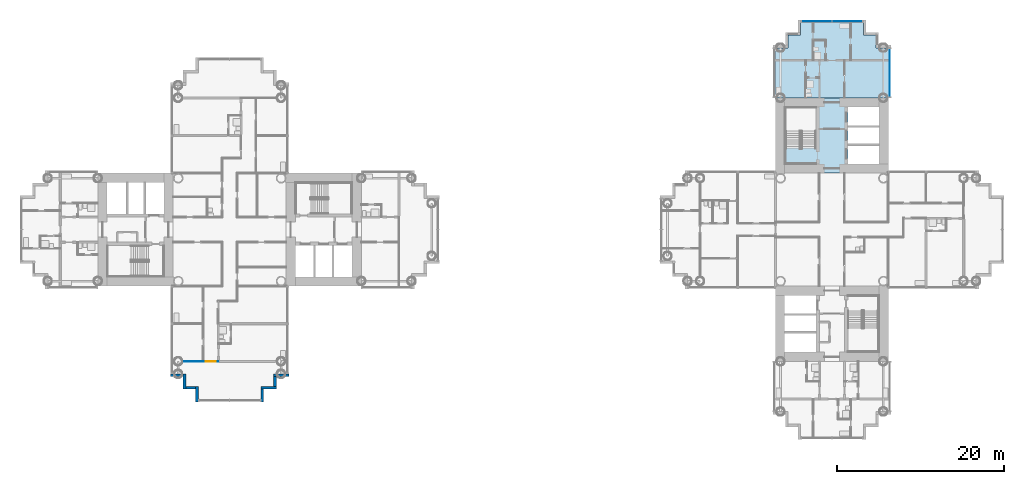
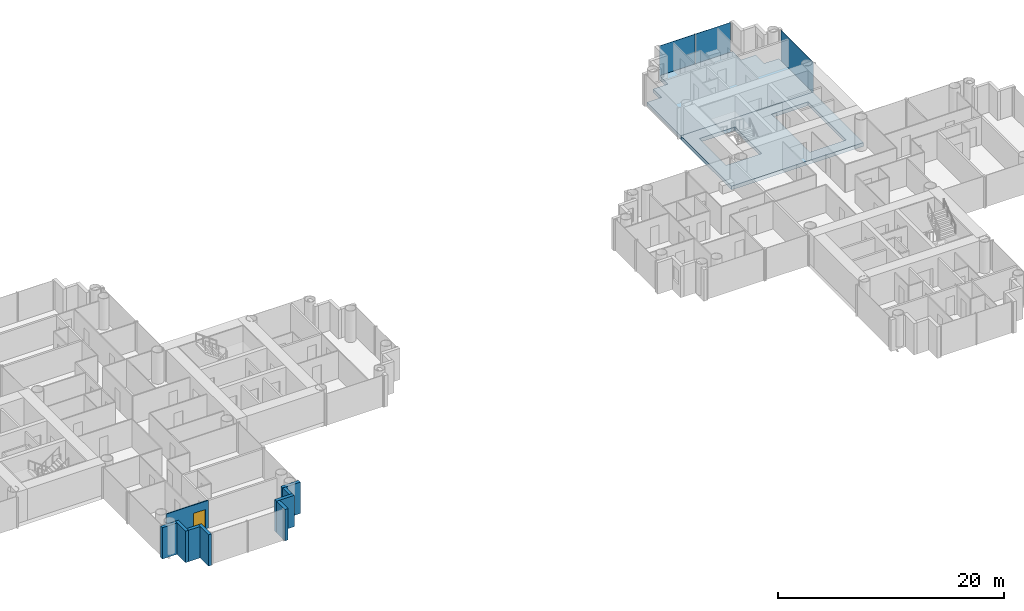
# One storey, part 8 of 22: 9 walls, 3 plates, 2 slabs, 1 door, 1 opening, 2 elements without a shape of their own.
"""IFC4 building model written with IfcOpenShell, lengths in metres."""

from ifc_helpers import new_model, si_unit, direction, frame, frame_2d, origin, origin_2d, place, context, subcontext, project, spatial, polyline, rectangle, outline, extrude, material, layer, layer_set, type_object, element, fill, aggregate, save


model = new_model("IFC4")

# Units and contexts
model_context = context("Model", 3, precision=1e-05, world=origin(), true_north=direction((0.0, 1.0)))
body_context = subcontext(model_context, "Body", "Model", "MODEL_VIEW")
ifc_project = project(units=[si_unit("LENGTHUNIT", "METRE"), si_unit("AREAUNIT", "SQUARE_METRE"), si_unit("VOLUMEUNIT", "CUBIC_METRE"), si_unit("PLANEANGLEUNIT", "RADIAN"), si_unit("MASSUNIT", "GRAM", prefix="KILO")], contexts=[model_context])

# Site, building, storey
site_placement = place(None, origin())
site = spatial("IfcSite", under=ifc_project, at=site_placement, CompositionType="ELEMENT")
building_placement = place(site_placement, origin())
building = spatial("IfcBuilding", under=site, at=building_placement, Name="Ipe Terrace Towers", CompositionType="ELEMENT")
storey_placement = place(building_placement, frame((0.0, 0.0, 55.10009765625)))
storey = spatial("IfcBuildingStorey", under=building, at=storey_placement, Name="L14", CompositionType="ELEMENT", Elevation=55.10009765625)

# Slabs
ifc_material_1 = material(Name="Concrete C30/37", Category="concrete")
ifc_layer_1 = layer(ifc_material_1, 0.39990234375)
ifc_layer_set_1 = layer_set([ifc_layer_1], Name="CORE FLOOR SLAB 400 C30-37")
slab_type_1 = type_object("IfcSlabType", Name="CORE FLOOR SLAB 400 C30-37", PredefinedType="FLOOR", material=ifc_layer_set_1)
slab_1_placement = place(storey_placement, frame((0.0, 0.0, -0.400146484375)))
element("IfcSlab", 1, at=slab_1_placement, inside=storey, type_object=slab_type_1, Name="Core floor T2-C1", PredefinedType="FLOOR", context=body_context, shape_type="SweptSolid", body=[
    extrude(outline(polyline([(29.25, 6.75), (29.25, 15.75), (42.75, 15.75), (42.75, 6.75), (29.25, 6.75)]), holes=[polyline([(41.64990234375, 7.85009765625), (41.64990234375, 14.64990234375), (37.89990234375, 14.64990234375), (37.89990234375, 7.85009765625), (41.64990234375, 7.85009765625)]), polyline([(30.449951171875, 9.800048828125), (34.10009765625, 9.800048828125), (34.10009765625, 14.550048828125), (30.449951171875, 14.550048828125), (30.449951171875, 9.800048828125)])]), origin(), (0.0, 0.0, 1.0), 0.400146484375),
])
ifc_material_2 = material(Name="Concrete C40/50", Category="concrete")
ifc_layer_2 = layer(ifc_material_2, 0.39990234375)
ifc_layer_set_2 = layer_set([ifc_layer_2], Name="FLAT PLATE SLAB 400 C40-50")
slab_type_2 = type_object("IfcSlabType", Name="FLAT PLATE SLAB 400 C40-50", PredefinedType="FLOOR", material=ifc_layer_set_2)
slab_2_placement = place(storey_placement, frame((0.0, 0.0, -0.400146484375)))
element("IfcSlab", 2, at=slab_2_placement, inside=storey, type_object=slab_type_2, Name="Slab T2-FS-Z13", PredefinedType="FLOOR", context=body_context, shape_type="SweptSolid", body=[
    extrude(outline(polyline([(30.75, 21.75), (30.75, 23.25), (32.25, 23.25), (32.25, 24.75), (39.75, 24.75), (39.75, 23.25), (41.25, 23.25), (41.25, 21.75), (42.75, 21.75), (42.75, 15.75), (29.25, 15.75), (29.25, 21.75), (30.75, 21.75)])), origin(), (0.0, 0.0, 1.0), 0.400146484375),
])

# Curtain wall, plate
ifc_material_3 = material(Name="Aluminium alloy 6063-T6", Category="aluminium")
ifc_layer_3 = layer(ifc_material_3, 0.320068359375)
ifc_layer_set_3 = layer_set([ifc_layer_3], Name="TOWER UNITISED CURTAIN WALL")
curtain_wall_type = type_object("IfcCurtainWallType", Name="TOWER UNITISED CURTAIN WALL", PredefinedType="NOTDEFINED", material=ifc_layer_set_3)
curtain_wall_1_placement = place(storey_placement, origin())
curtain_wall_1 = element("IfcCurtainWall", 3, at=curtain_wall_1_placement, inside=storey, type_object=curtain_wall_type, Name="T2-CW-L14-20b curtain wall", PredefinedType="NOTDEFINED")
ifc_material_4 = material(Name="Glass, clear laminated", Category="glass")
ifc_layer_4 = layer(ifc_material_4, 0.031982421875)
ifc_layer_set_4 = layer_set([ifc_layer_4], Name="TOWER UNITISED GLASS PANEL 32")
plate_type = type_object("IfcPlateType", Name="TOWER UNITISED GLASS PANEL 32", PredefinedType="CURTAIN_PANEL", material=ifc_layer_set_4)
plate_1_placement = place(storey_placement, frame((42.909912109375, 18.75048828125, -0.300048828125), z_axis=(0.0, 0.0, 1.0), x_axis=(0.0, 1.0, 0.0)))
plate_1 = element("IfcPlate", 4, at=plate_1_placement, type_object=plate_type, Name="T2-CW-L14-20b panel 1", PredefinedType="CURTAIN_PANEL", context=body_context, shape_type="SweptSolid", body=[
    extrude(rectangle(XDim=5.759033203125, YDim=0.031982421875, at=origin_2d()), origin(), (0.0, 0.0, 1.0), 3.39990234375),
])
aggregate(curtain_wall_1, [plate_1])

# Curtain wall, plates
curtain_wall_2_placement = place(storey_placement, origin())
curtain_wall_2 = element("IfcCurtainWall", 5, at=curtain_wall_2_placement, inside=storey, type_object=curtain_wall_type, Name="T2-CW-L14-25a curtain wall", PredefinedType="NOTDEFINED")
plate_2_placement = place(storey_placement, frame((37.831298828125, 24.909912109375, -0.300048828125), z_axis=(0.0, 0.0, 1.0), x_axis=(-1.0, 0.0, 0.0)))
plate_2 = element("IfcPlate", 6, at=plate_2_placement, type_object=plate_type, Name="T2-CW-L14-25a panel 1", PredefinedType="CURTAIN_PANEL", context=body_context, shape_type="SweptSolid", body=[
    extrude(rectangle(XDim=3.597412109375, YDim=0.031982421875, at=origin_2d()), origin(), (0.0, 0.0, 1.0), 3.39990234375),
])
plate_3_placement = place(storey_placement, frame((34.168701171875, 24.909912109375, -0.300048828125), z_axis=(0.0, 0.0, 1.0), x_axis=(-1.0, 0.0, 0.0)))
plate_3 = element("IfcPlate", 7, at=plate_3_placement, type_object=plate_type, Name="T2-CW-L14-25a panel 2", PredefinedType="CURTAIN_PANEL", context=body_context, shape_type="SweptSolid", body=[
    extrude(rectangle(XDim=3.597412109375, YDim=0.031982421875, at=origin_2d()), origin(), (0.0, 0.0, 1.0), 3.39990234375),
])
aggregate(curtain_wall_2, [plate_2, plate_3])

# Walls
ifc_material_5 = material(Name="Concrete C40/50 with buff precast cladding", Category="concrete")
ifc_layer_5 = layer(ifc_material_5, 0.320068359375)
ifc_layer_set_5 = layer_set([ifc_layer_5], Name="BUFF CLADDING WALL 320")
wall_type_1 = type_object("IfcWallType", Name="BUFF CLADDING WALL 320", PredefinedType="STANDARD", material=ifc_layer_set_5)
wall_1_placement = place(storey_placement, frame((-43.070068359375, -17.409912109375, -0.300048828125), z_axis=(0.0, 0.0, 1.0), x_axis=(1.0, 0.0, 0.0)))
element("IfcWall", 8, at=wall_1_placement, inside=storey, type_object=wall_type_1, Name="T1-W-L14-08a wall", PredefinedType="STANDARD", context=body_context, shape_type="SweptSolid", body=[
    extrude(rectangle(XDim=1.5, YDim=0.320068359375, at=frame_2d((0.75, 0.0))), origin(), (0.0, 0.0, 1.0), 3.39990234375),
])
wall_2_placement = place(storey_placement, frame((-41.409912109375, -17.25, -0.300048828125), z_axis=(0.0, 0.0, 1.0), x_axis=(0.0, -1.0, 0.0)))
element("IfcWall", 9, at=wall_2_placement, inside=storey, type_object=wall_type_1, Name="T1-W-L14-09a wall", PredefinedType="STANDARD", context=body_context, shape_type="SweptSolid", body=[
    extrude(rectangle(XDim=1.820068359375, YDim=0.320068359375, at=frame_2d((0.91015625, 0.0))), origin(), (0.0, 0.0, 1.0), 3.39990234375),
])
wall_3_placement = place(storey_placement, frame((-41.25, -18.909912109375, -0.300048828125), z_axis=(0.0, 0.0, 1.0), x_axis=(1.0, 0.0, 0.0)))
element("IfcWall", 10, at=wall_3_placement, inside=storey, type_object=wall_type_1, Name="T1-W-L14-10a wall", PredefinedType="STANDARD", context=body_context, shape_type="SweptSolid", body=[
    extrude(rectangle(XDim=1.179931640625, YDim=0.320068359375, at=frame_2d((0.58984375, 0.0))), origin(), (0.0, 0.0, 1.0), 3.39990234375),
])
wall_4_placement = place(storey_placement, frame((-39.909912109375, -18.75, -0.300048828125), z_axis=(0.0, 0.0, 1.0), x_axis=(0.0, -1.0, 0.0)))
element("IfcWall", 11, at=wall_4_placement, inside=storey, type_object=wall_type_1, Name="T1-W-L14-11a wall", PredefinedType="STANDARD", context=body_context, shape_type="SweptSolid", body=[
    extrude(rectangle(XDim=1.820068359375, YDim=0.320068359375, at=frame_2d((0.91015625, 0.0))), origin(), (0.0, 0.0, 1.0), 3.39990234375),
])
wall_5_placement = place(storey_placement, frame((-32.090087890625, -20.570068359375, -0.300048828125), z_axis=(0.0, 0.0, 1.0), x_axis=(0.0, 1.0, 0.0)))
element("IfcWall", 12, at=wall_5_placement, inside=storey, type_object=wall_type_1, Name="T1-W-L14-13a wall", PredefinedType="STANDARD", context=body_context, shape_type="SweptSolid", body=[
    extrude(rectangle(XDim=1.5, YDim=0.320068359375, at=frame_2d((0.75, 0.0))), origin(), (0.0, 0.0, 1.0), 3.39990234375),
])
wall_6_placement = place(storey_placement, frame((-32.25, -18.909912109375, -0.300048828125), z_axis=(0.0, 0.0, 1.0), x_axis=(1.0, 0.0, 0.0)))
element("IfcWall", 13, at=wall_6_placement, inside=storey, type_object=wall_type_1, Name="T1-W-L14-14a wall", PredefinedType="STANDARD", context=body_context, shape_type="SweptSolid", body=[
    extrude(rectangle(XDim=1.820068359375, YDim=0.320068359375, at=frame_2d((0.91015625, 0.0))), origin(), (0.0, 0.0, 1.0), 3.39990234375),
])
wall_7_placement = place(storey_placement, frame((-30.590087890625, -18.75, -0.300048828125), z_axis=(0.0, 0.0, 1.0), x_axis=(0.0, 1.0, 0.0)))
element("IfcWall", 14, at=wall_7_placement, inside=storey, type_object=wall_type_1, Name="T1-W-L14-15a wall", PredefinedType="STANDARD", context=body_context, shape_type="SweptSolid", body=[
    extrude(rectangle(XDim=1.179931640625, YDim=0.320068359375, at=frame_2d((0.58984375, 0.0))), origin(), (0.0, 0.0, 1.0), 3.39990234375),
])
wall_8_placement = place(storey_placement, frame((-30.75, -17.409912109375, -0.300048828125), z_axis=(0.0, 0.0, 1.0), x_axis=(1.0, 0.0, 0.0)))
element("IfcWall", 15, at=wall_8_placement, inside=storey, type_object=wall_type_1, Name="T1-W-L14-16a wall", PredefinedType="STANDARD", context=body_context, shape_type="SweptSolid", body=[
    extrude(rectangle(XDim=1.820068359375, YDim=0.320068359375, at=frame_2d((0.91015625, 0.0))), origin(), (0.0, 0.0, 1.0), 3.39990234375),
])

# Wall, opening, door
ifc_material_6 = material(Name="Gypsum board partition", Category="plasterboard")
ifc_layer_6 = layer(ifc_material_6, 0.10009765625)
ifc_layer_set_6 = layer_set([ifc_layer_6], Name="Gypsum board partition 100 mm")
wall_type_2 = type_object("IfcWallType", Name="Gypsum board partition 100 mm", PredefinedType="PARTITIONING", material=ifc_layer_set_6)
wall_9_placement = place(storey_placement, frame((-41.64990234375, -15.75, 0.0), z_axis=(0.0, 0.0, 1.0), x_axis=(1.0, 0.0, 0.0)))
wall_9 = element("IfcWall", 16, at=wall_9_placement, inside=storey, type_object=wall_type_2, Name="Gypsum board partition T1 L14 W22", PredefinedType="PARTITIONING", context=body_context, shape_type="SweptSolid", body=[
    extrude(rectangle(XDim=4.2998046875, YDim=0.10009765625, at=frame_2d((2.14990234375, 0.0))), origin(), (0.0, 0.0, 1.0), 3.0),
])
opening_placement = place(wall_9_placement, frame((2.800048828125, 0.0, 0.0)))
opening = element("IfcOpeningElement", 17, at=opening_placement, cuts=wall_9, Name="Opening T1-Z1D-20", PredefinedType="OPENING", context=body_context, shape_type="SweptSolid", body=[
    extrude(rectangle(XDim=1.199951171875, YDim=2.10009765625, at=frame_2d((0.60009765625, 1.050048828125))), frame((0.0, 0.06005859375, 0.0), z_axis=(0.0, -1.0, 0.0), x_axis=(1.0, 0.0, 0.0)), (0.0, 0.0, 1.0), 0.1201171875),
])
ifc_material_7 = material(Name="Timber door leaf", Category="wood")
door_type = type_object("IfcDoorType", Name="Lounge door 1200 x 2100", OperationType="NOTDEFINED", PredefinedType="DOOR", material=ifc_material_7)
door_placement = place(opening_placement, origin())
door = element("IfcDoor", 18, at=door_placement, inside=storey, type_object=door_type, Name="Lounge door T1-Z1D-20", OperationType="SINGLE_SWING_RIGHT", OverallHeight=2.10009765625, OverallWidth=1.199951171875, PredefinedType="DOOR", context=body_context, shape_type="SweptSolid", body=[
    extrude(rectangle(XDim=1.199951171875, YDim=2.10009765625, at=frame_2d((0.60009765625, 1.050048828125))), frame((0.0, 0.02490234375, 0.0), z_axis=(0.0, -1.0, 0.0), x_axis=(1.0, 0.0, 0.0)), (0.0, 0.0, 1.0), 0.050048828125),
])
fill(opening, door)

save(model, "model.ifc")
